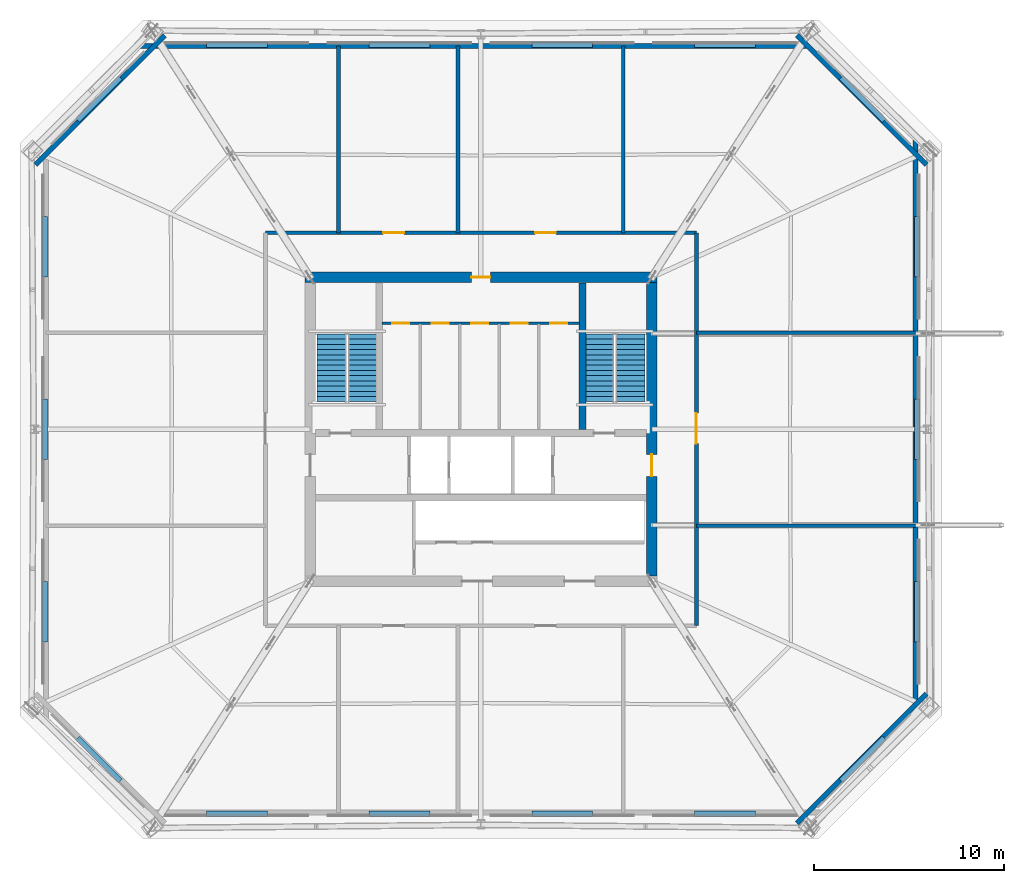
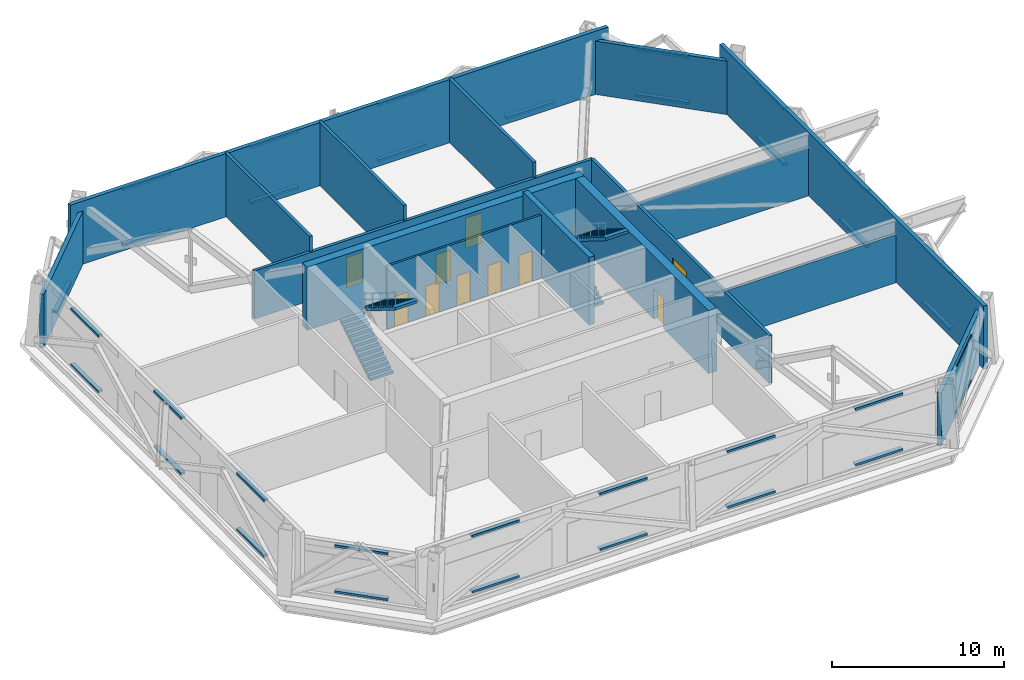
# One storey, part 12 of 15: 35 discrete accessories, 16 walls, 10 doors, 4 stair flights, 10 openings, 2 elements without a shape of their own.
"""IFC4 building model written with IfcOpenShell, lengths in metres."""

from ifc_helpers import new_model, si_unit, direction, frame, frame_2d, origin, origin_2d, place, context, subcontext, project, spatial, polyline, rectangle, outline, extrude, material, layer, layer_set, type_object, element, fill, aggregate, save


model = new_model("IFC4")

# Units and contexts
model_context = context("Model", 3, precision=1e-05, world=origin(), true_north=direction((0.0, 1.0)))
body_context = subcontext(model_context, "Body", "Model", "MODEL_VIEW")
ifc_project = project(units=[si_unit("LENGTHUNIT", "METRE"), si_unit("AREAUNIT", "SQUARE_METRE"), si_unit("VOLUMEUNIT", "CUBIC_METRE"), si_unit("PLANEANGLEUNIT", "RADIAN"), si_unit("MASSUNIT", "GRAM", prefix="KILO")], contexts=[model_context])

# Site, building, storey
site_placement = place(None, origin())
site = spatial("IfcSite", under=ifc_project, at=site_placement, CompositionType="ELEMENT")
building_placement = place(site_placement, origin())
building = spatial("IfcBuilding", under=site, at=building_placement, Name="Caelvoria Tower", CompositionType="ELEMENT")
storey_placement = place(building_placement, frame((0.0, 0.0, 167.199951171875)))
storey = spatial("IfcBuildingStorey", under=building, at=storey_placement, Name="L44", CompositionType="ELEMENT", Elevation=167.199951171875)

# Wall
ifc_material_1 = material(Name="Concrete C50/60", Category="concrete")
ifc_layer_1 = layer(ifc_material_1, 0.35009765625, Name="Concrete C50/60")
ifc_layer_set_1 = layer_set([ifc_layer_1], Name="Core Internal Shear Wall 350 - Concrete C50/60")
wall_type_1 = type_object("IfcWallType", Name="Core Internal Shear Wall 350", PredefinedType="SHEAR", material=ifc_layer_set_1)
wall_1_placement = place(storey_placement, frame((51.35009765625, 32.0, 0.0), z_axis=(0.0, 0.0, 1.0), x_axis=(0.0, 1.0, 0.0)))
element("IfcWall", 1, at=wall_1_placement, inside=storey, type_object=wall_type_1, Name="Interior Partition IW-L44-ST2W", PredefinedType="SHEAR", context=body_context, shape_type="SweptSolid", body=[
    extrude(rectangle(XDim=7.699951171875, YDim=0.35009765625, at=frame_2d((3.85009765625, 0.0))), origin(), (0.0, 0.0, 1.0), 4.800048828125),
])

# Wall, openings, doors
ifc_material_2 = material(Name="Moisture-Resistant Gypsum on Steel Stud", Category="steel")
ifc_layer_2 = layer(ifc_material_2, 0.139892578125, Name="Moisture-Resistant Gypsum on Steel Stud")
ifc_layer_set_2 = layer_set([ifc_layer_2], Name="Core Sanitary Acoustic Partition Wall 140 - Moisture-Resistant Gypsum on Steel Stud")
wall_type_2 = type_object("IfcWallType", Name="Core Sanitary Acoustic Partition Wall 140", PredefinedType="PARTITIONING", material=ifc_layer_set_2)
wall_2_placement = place(storey_placement, frame((40.800048828125, 37.580078125, 0.0), z_axis=(0.0, 0.0, 1.0), x_axis=(1.0, 0.0, 0.0)))
wall_2 = element("IfcWall", 2, at=wall_2_placement, inside=storey, type_object=wall_type_2, Name="Interior Partition IW-L44-C1H", PredefinedType="PARTITIONING", context=body_context, shape_type="SweptSolid", body=[
    extrude(rectangle(XDim=10.39990234375, YDim=0.139892578125, at=frame_2d((5.199951171875, 0.0))), origin(), (0.0, 0.0, 1.0), 4.47998046875),
])
opening_1_placement = place(wall_2_placement, frame((0.52001953125, 0.0, 0.0)))
opening_1 = element("IfcOpeningElement", 3, at=opening_1_placement, cuts=wall_2, Name="Opening ID-06", PredefinedType="OPENING", context=body_context, shape_type="SweptSolid", body=[
    extrude(rectangle(XDim=0.89990234375, YDim=2.14990234375, at=frame_2d((0.449951171875, 1.074951171875))), frame((0.0, 0.079833984375, 0.0), z_axis=(0.0, -1.0, 0.0), x_axis=(1.0, 0.0, 0.0)), (0.0, 0.0, 1.0), 0.159912109375),
])
opening_2_placement = place(wall_2_placement, frame((2.60009765625, 0.0, 0.0)))
opening_2 = element("IfcOpeningElement", 4, at=opening_2_placement, cuts=wall_2, Name="Opening ID-06", PredefinedType="OPENING", context=body_context, shape_type="SweptSolid", body=[
    extrude(rectangle(XDim=0.89990234375, YDim=2.14990234375, at=frame_2d((0.449951171875, 1.074951171875))), frame((0.0, 0.079833984375, 0.0), z_axis=(0.0, -1.0, 0.0), x_axis=(1.0, 0.0, 0.0)), (0.0, 0.0, 1.0), 0.159912109375),
])
opening_3_placement = place(wall_2_placement, frame((4.679931640625, 0.0, 0.0)))
opening_3 = element("IfcOpeningElement", 5, at=opening_3_placement, cuts=wall_2, Name="Opening ID-07", PredefinedType="OPENING", context=body_context, shape_type="SweptSolid", body=[
    extrude(rectangle(XDim=0.919921875, YDim=2.14990234375, at=frame_2d((0.4599609375, 1.074951171875))), frame((0.0, 0.079833984375, 0.0), z_axis=(0.0, -1.0, 0.0), x_axis=(1.0, 0.0, 0.0)), (0.0, 0.0, 1.0), 0.159912109375),
])
opening_4_placement = place(wall_2_placement, frame((6.760009765625, 0.0, 0.0)))
opening_4 = element("IfcOpeningElement", 6, at=opening_4_placement, cuts=wall_2, Name="Opening ID-06", PredefinedType="OPENING", context=body_context, shape_type="SweptSolid", body=[
    extrude(rectangle(XDim=0.89990234375, YDim=2.14990234375, at=frame_2d((0.449951171875, 1.074951171875))), frame((0.0, 0.079833984375, 0.0), z_axis=(0.0, -1.0, 0.0), x_axis=(1.0, 0.0, 0.0)), (0.0, 0.0, 1.0), 0.159912109375),
])
opening_5_placement = place(wall_2_placement, frame((8.840087890625, 0.0, 0.0)))
opening_5 = element("IfcOpeningElement", 7, at=opening_5_placement, cuts=wall_2, Name="Opening ID-06", PredefinedType="OPENING", context=body_context, shape_type="SweptSolid", body=[
    extrude(rectangle(XDim=0.89990234375, YDim=2.14990234375, at=frame_2d((0.449951171875, 1.074951171875))), frame((0.0, 0.079833984375, 0.0), z_axis=(0.0, -1.0, 0.0), x_axis=(1.0, 0.0, 0.0)), (0.0, 0.0, 1.0), 0.159912109375),
])
ifc_material_3 = material(Name="Engineered Andean Oak Accessible Door", Category="wood")
door_type_1 = type_object("IfcDoorType", Name="Accessible WC Door 950x2150", OperationType="NOTDEFINED", PredefinedType="DOOR", material=ifc_material_3)
door_1_placement = place(opening_3_placement, origin())
door_1 = element("IfcDoor", 8, at=door_1_placement, inside=storey, type_object=door_type_1, Name="Interior Door DR-L44-C1-3", OperationType="SINGLE_SWING_LEFT", OverallHeight=2.14990234375, OverallWidth=0.919921875, PredefinedType="DOOR", context=body_context, shape_type="SweptSolid", body=[
    extrude(rectangle(XDim=0.919921875, YDim=2.14990234375, at=frame_2d((0.4599609375, 1.074951171875))), frame((0.0, 0.02490234375, 0.0), z_axis=(0.0, -1.0, 0.0), x_axis=(1.0, 0.0, 0.0)), (0.0, 0.0, 1.0), 0.050048828125),
])
fill(opening_3, door_1)
ifc_material_4 = material(Name="Engineered Andean Oak Veneer Door", Category="wood")
door_type_2 = type_object("IfcDoorType", Name="Interior Timber Door 900x2150", OperationType="NOTDEFINED", PredefinedType="DOOR", material=ifc_material_4)
door_2_placement = place(opening_1_placement, origin())
door_2 = element("IfcDoor", 9, at=door_2_placement, inside=storey, type_object=door_type_2, Name="Interior Door DR-L44-C1-1", OperationType="SINGLE_SWING_LEFT", OverallHeight=2.14990234375, OverallWidth=0.89990234375, PredefinedType="DOOR", context=body_context, shape_type="SweptSolid", body=[
    extrude(rectangle(XDim=0.89990234375, YDim=2.14990234375, at=frame_2d((0.449951171875, 1.074951171875))), frame((0.0, 0.02490234375, 0.0), z_axis=(0.0, -1.0, 0.0), x_axis=(1.0, 0.0, 0.0)), (0.0, 0.0, 1.0), 0.050048828125),
])
fill(opening_1, door_2)
door_3_placement = place(opening_2_placement, origin())
door_3 = element("IfcDoor", 10, at=door_3_placement, inside=storey, type_object=door_type_2, Name="Interior Door DR-L44-C1-2", OperationType="SINGLE_SWING_RIGHT", OverallHeight=2.14990234375, OverallWidth=0.89990234375, PredefinedType="DOOR", context=body_context, shape_type="SweptSolid", body=[
    extrude(rectangle(XDim=0.89990234375, YDim=2.14990234375, at=frame_2d((0.449951171875, 1.074951171875))), frame((0.0, 0.02490234375, 0.0), z_axis=(0.0, -1.0, 0.0), x_axis=(1.0, 0.0, 0.0)), (0.0, 0.0, 1.0), 0.050048828125),
])
fill(opening_2, door_3)
door_4_placement = place(opening_4_placement, origin())
door_4 = element("IfcDoor", 11, at=door_4_placement, inside=storey, type_object=door_type_2, Name="Interior Door DR-L44-C1-4", OperationType="SINGLE_SWING_RIGHT", OverallHeight=2.14990234375, OverallWidth=0.89990234375, PredefinedType="DOOR", context=body_context, shape_type="SweptSolid", body=[
    extrude(rectangle(XDim=0.89990234375, YDim=2.14990234375, at=frame_2d((0.449951171875, 1.074951171875))), frame((0.0, 0.02490234375, 0.0), z_axis=(0.0, -1.0, 0.0), x_axis=(1.0, 0.0, 0.0)), (0.0, 0.0, 1.0), 0.050048828125),
])
fill(opening_4, door_4)
door_5_placement = place(opening_5_placement, origin())
door_5 = element("IfcDoor", 12, at=door_5_placement, inside=storey, type_object=door_type_2, Name="Interior Door DR-L44-C1-5", OperationType="SINGLE_SWING_LEFT", OverallHeight=2.14990234375, OverallWidth=0.89990234375, PredefinedType="DOOR", context=body_context, shape_type="SweptSolid", body=[
    extrude(rectangle(XDim=0.89990234375, YDim=2.14990234375, at=frame_2d((0.449951171875, 1.074951171875))), frame((0.0, 0.02490234375, 0.0), z_axis=(0.0, -1.0, 0.0), x_axis=(1.0, 0.0, 0.0)), (0.0, 0.0, 1.0), 0.050048828125),
])
fill(opening_5, door_5)

# Walls
ifc_material_5 = material(Name="Concrete Block and Fireboard Assembly", Category="concrete")
ifc_layer_3 = layer(ifc_material_5, 0.199951171875, Name="Concrete Block and Fireboard Assembly")
ifc_layer_set_3 = layer_set([ifc_layer_3], Name="Fire-Rated Shaft and Core Partition Wall 200 - Concrete Block and Fireboard Assembly")
wall_type_3 = type_object("IfcWallType", Name="Fire-Rated Shaft and Core Partition Wall 200", PredefinedType="PARTITIONING", material=ifc_layer_set_3)
for number, where, z_axis, x_axis, name in (
    (13, (44.800048828125, 42.35009765625, 0.0), (0.0, 0.0, 1.0), (0.0, 1.0, 0.0), "Interior Partition IW-L44-PLT-NM"),
    (14, (38.5, 42.35009765625, 0.0), (0.0, 0.0, 1.0), (0.0, 1.0, 0.0), "Interior Partition IW-L44-OCH-SWN"),
    (15, (53.5, 42.35009765625, 0.0), (0.0, 0.0, 1.0), (0.0, 1.0, 0.0), "Interior Partition IW-L44-OCH-SEN"),
):
    element("IfcWall", number, at=place(storey_placement, frame(where, z_axis=z_axis, x_axis=x_axis)), inside=storey, type_object=wall_type_3, Name=name, PredefinedType="PARTITIONING", context=body_context, shape_type="SweptSolid", body=[
        extrude(rectangle(XDim=9.829833984375, YDim=0.199951171875, at=frame_2d((4.9150390625, 0.0))), origin(), (0.0, 0.0, 1.0), 4.47998046875),
    ])

# Wall, openings, doors
wall_3_placement = place(storey_placement, frame((34.64990234375, 42.35009765625, 0.0), z_axis=(0.0, 0.0, 1.0), x_axis=(1.0, 0.0, 0.0)))
wall_3 = element("IfcWall", 16, at=wall_3_placement, inside=storey, type_object=wall_type_3, Name="Interior Partition IW-L44-CRN", PredefinedType="PARTITIONING", context=body_context, shape_type="SweptSolid", body=[
    extrude(rectangle(XDim=22.7001953125, YDim=0.199951171875, at=frame_2d((11.35009765625, 0.0))), origin(), (0.0, 0.0, 1.0), 3.41015625),
])
opening_6_placement = place(wall_3_placement, frame((6.199951171875, 0.0, 0.0)))
opening_6 = element("IfcOpeningElement", 17, at=opening_6_placement, cuts=wall_3, Name="Opening ID-01", PredefinedType="OPENING", context=body_context, shape_type="SweptSolid", body=[
    extrude(rectangle(XDim=1.10009765625, YDim=2.14990234375, at=frame_2d((0.550048828125, 1.074951171875))), frame((0.0, 0.10986328125, 0.0), z_axis=(0.0, -1.0, 0.0), x_axis=(1.0, 0.0, 0.0)), (0.0, 0.0, 1.0), 0.219970703125),
])
opening_7_placement = place(wall_3_placement, frame((14.199951171875, 0.0, 0.0)))
opening_7 = element("IfcOpeningElement", 18, at=opening_7_placement, cuts=wall_3, Name="Opening ID-01", PredefinedType="OPENING", context=body_context, shape_type="SweptSolid", body=[
    extrude(rectangle(XDim=1.10009765625, YDim=2.14990234375, at=frame_2d((0.550048828125, 1.074951171875))), frame((0.0, 0.10986328125, 0.0), z_axis=(0.0, -1.0, 0.0), x_axis=(1.0, 0.0, 0.0)), (0.0, 0.0, 1.0), 0.219970703125),
])
ifc_material_6 = material(Name="Painted Hollow Steel Fire Door", Category="steel")
door_type_3 = type_object("IfcDoorType", Name="Fire Door FD90S 1100x2150", OperationType="NOTDEFINED", PredefinedType="DOOR", material=ifc_material_6)
door_6_placement = place(opening_6_placement, origin())
door_6 = element("IfcDoor", 19, at=door_6_placement, inside=storey, type_object=door_type_3, Name="Interior Door DR-L44-PLTN1", OperationType="SINGLE_SWING_RIGHT", OverallHeight=2.14990234375, OverallWidth=1.10009765625, PredefinedType="DOOR", context=body_context, shape_type="SweptSolid", body=[
    extrude(rectangle(XDim=1.10009765625, YDim=2.14990234375, at=frame_2d((0.550048828125, 1.074951171875))), frame((0.0, 0.02490234375, 0.0), z_axis=(0.0, -1.0, 0.0), x_axis=(1.0, 0.0, 0.0)), (0.0, 0.0, 1.0), 0.050048828125),
])
fill(opening_6, door_6)
door_7_placement = place(opening_7_placement, origin())
door_7 = element("IfcDoor", 20, at=door_7_placement, inside=storey, type_object=door_type_3, Name="Interior Door DR-L44-PLTN2", OperationType="SINGLE_SWING_LEFT", OverallHeight=2.14990234375, OverallWidth=1.10009765625, PredefinedType="DOOR", context=body_context, shape_type="SweptSolid", body=[
    extrude(rectangle(XDim=1.10009765625, YDim=2.14990234375, at=frame_2d((0.550048828125, 1.074951171875))), frame((0.0, 0.02490234375, 0.0), z_axis=(0.0, -1.0, 0.0), x_axis=(1.0, 0.0, 0.0)), (0.0, 0.0, 1.0), 0.050048828125),
])
fill(opening_7, door_7)

# Wall, opening, door
wall_4_placement = place(storey_placement, frame((57.35009765625, 21.64990234375, 0.0), z_axis=(0.0, 0.0, 1.0), x_axis=(0.0, 1.0, 0.0)))
wall_4 = element("IfcWall", 21, at=wall_4_placement, inside=storey, type_object=wall_type_3, Name="Interior Partition IW-L44-CRE", PredefinedType="PARTITIONING", context=body_context, shape_type="SweptSolid", body=[
    extrude(rectangle(XDim=20.7001953125, YDim=0.199951171875, at=frame_2d((10.35009765625, 0.0))), origin(), (0.0, 0.0, 1.0), 3.41015625),
])
opening_8_placement = place(wall_4_placement, frame((9.60009765625, 0.0, 0.0)))
opening_8 = element("IfcOpeningElement", 22, at=opening_8_placement, cuts=wall_4, Name="Opening ID-08", PredefinedType="OPENING", context=body_context, shape_type="SweptSolid", body=[
    extrude(rectangle(XDim=1.60009765625, YDim=2.14990234375, at=frame_2d((0.800048828125, 1.074951171875))), frame((0.0, 0.10986328125, 0.0), z_axis=(0.0, -1.0, 0.0), x_axis=(1.0, 0.0, 0.0)), (0.0, 0.0, 1.0), 0.219970703125),
])
ifc_material_7 = material(Name="Bronze-Framed Fire-Rated Glazed Double Door", Category="aluminium")
door_type_4 = type_object("IfcDoorType", Name="Double Lobby Glazed Door 1600x2200", OperationType="NOTDEFINED", PredefinedType="DOOR", material=ifc_material_7)
door_8_placement = place(opening_8_placement, origin())
door_8 = element("IfcDoor", 23, at=door_8_placement, inside=storey, type_object=door_type_4, Name="Interior Door DR-L44-REFE", OperationType="DOUBLE_DOOR_SINGLE_SWING", OverallHeight=2.14990234375, OverallWidth=1.60009765625, PredefinedType="DOOR", context=body_context, shape_type="SweptSolid", body=[
    extrude(rectangle(XDim=1.60009765625, YDim=2.14990234375, at=frame_2d((0.800048828125, 1.074951171875))), frame((0.0, 0.02490234375, 0.0), z_axis=(0.0, -1.0, 0.0), x_axis=(1.0, 0.0, 0.0)), (0.0, 0.0, 1.0), 0.050048828125),
])
fill(opening_8, door_8)

# Walls
for number, where, z_axis, x_axis, name in (
    (24, (57.35009765625, 26.919921875, 0.0), (0.0, 0.0, 1.0), (1.0, 0.0, 0.0), "Interior Partition IW-L44-RSEP-ES"),
    (25, (57.35009765625, 37.080078125, 0.0), (0.0, 0.0, 1.0), (1.0, 0.0, 0.0), "Interior Partition IW-L44-RSEP-EN"),
):
    element("IfcWall", number, at=place(storey_placement, frame(where, z_axis=z_axis, x_axis=x_axis)), inside=storey, type_object=wall_type_3, Name=name, PredefinedType="PARTITIONING", context=body_context, shape_type="SweptSolid", body=[
        extrude(rectangle(XDim=11.5498046875, YDim=0.199951171875, at=frame_2d((5.77490234375, 0.0))), origin(), (0.0, 0.0, 1.0), 3.41015625),
    ])

# Wall, opening, door
ifc_material_8 = material(Name="Concrete C55/67", Category="concrete")
ifc_layer_4 = layer(ifc_material_8, 0.550048828125, Name="Concrete C55/67")
ifc_layer_set_4 = layer_set([ifc_layer_4], Name="Mid Core Shear Wall 550 - Concrete C55/67")
wall_type_4 = type_object("IfcWallType", Name="Mid Core Shear Wall 550", PredefinedType="SHEAR", material=ifc_layer_set_4)
wall_5_placement = place(storey_placement, frame((36.72509765625, 40.0, 0.0), z_axis=(0.0, 0.0, 1.0), x_axis=(1.0, 0.0, 0.0)))
wall_5 = element("IfcWall", 26, at=wall_5_placement, inside=storey, type_object=wall_type_4, Name="Core Shear Wall L44 N", PredefinedType="SHEAR", context=body_context, shape_type="SweptSolid", body=[
    extrude(rectangle(XDim=18.5498046875, YDim=0.550048828125, at=frame_2d((9.27490234375, 0.0))), origin(), (0.0, 0.0, 1.0), 4.47998046875),
])
opening_9_placement = place(wall_5_placement, frame((8.77490234375, 0.0, 0.0)))
opening_9 = element("IfcOpeningElement", 27, at=opening_9_placement, cuts=wall_5, Name="Opening ID-03", PredefinedType="OPENING", context=body_context, shape_type="SweptSolid", body=[
    extrude(rectangle(XDim=1.0, YDim=2.14990234375, at=frame_2d((0.5, 1.074951171875))), frame((0.0, 0.284912109375, 0.0), z_axis=(0.0, -1.0, 0.0), x_axis=(1.0, 0.0, 0.0)), (0.0, 0.0, 1.0), 0.570068359375),
])
door_type_5 = type_object("IfcDoorType", Name="Fire Door FD60S 1000x2150", OperationType="NOTDEFINED", PredefinedType="DOOR", material=ifc_material_6)
door_9_placement = place(opening_9_placement, origin())
door_9 = element("IfcDoor", 28, at=door_9_placement, inside=storey, type_object=door_type_5, Name="Core Door DR-L44-WC-MAIN", OperationType="SINGLE_SWING_RIGHT", OverallHeight=2.14990234375, OverallWidth=1.0, PredefinedType="DOOR", context=body_context, shape_type="SweptSolid", body=[
    extrude(rectangle(XDim=1.0, YDim=2.14990234375, at=frame_2d((0.5, 1.074951171875))), frame((0.0, 0.02490234375, 0.0), z_axis=(0.0, -1.0, 0.0), x_axis=(1.0, 0.0, 0.0)), (0.0, 0.0, 1.0), 0.050048828125),
])
fill(opening_9, door_9)

wall_6_placement = place(storey_placement, frame((55.0, 24.27490234375, 0.0), z_axis=(0.0, 0.0, 1.0), x_axis=(0.0, 1.0, 0.0)))
wall_6 = element("IfcWall", 29, at=wall_6_placement, inside=storey, type_object=wall_type_4, Name="Core Shear Wall L44 E", PredefinedType="SHEAR", context=body_context, shape_type="SweptSolid", body=[
    extrude(rectangle(XDim=15.4501953125, YDim=0.550048828125, at=frame_2d((7.72509765625, 0.0))), origin(), (0.0, 0.0, 1.0), 4.47998046875),
])
opening_10_placement = place(wall_6_placement, frame((5.25, 0.0, 0.0)))
opening_10 = element("IfcOpeningElement", 30, at=opening_10_placement, cuts=wall_6, Name="Opening ID-02", PredefinedType="OPENING", context=body_context, shape_type="SweptSolid", body=[
    extrude(rectangle(XDim=1.14990234375, YDim=2.14990234375, at=frame_2d((0.574951171875, 1.074951171875))), frame((0.0, 0.284912109375, 0.0), z_axis=(0.0, -1.0, 0.0), x_axis=(1.0, 0.0, 0.0)), (0.0, 0.0, 1.0), 0.570068359375),
])
door_type_6 = type_object("IfcDoorType", Name="Fire Door FD60S 1150x2150", OperationType="NOTDEFINED", PredefinedType="DOOR", material=ifc_material_6)
door_10_placement = place(opening_10_placement, origin())
door_10 = element("IfcDoor", 31, at=door_10_placement, inside=storey, type_object=door_type_6, Name="Core Door DR-L44-FFLE-OUT", OperationType="SINGLE_SWING_RIGHT", OverallHeight=2.14990234375, OverallWidth=1.14990234375, PredefinedType="DOOR", context=body_context, shape_type="SweptSolid", body=[
    extrude(rectangle(XDim=1.14990234375, YDim=2.14990234375, at=frame_2d((0.574951171875, 1.074951171875))), frame((0.0, 0.02490234375, 0.0), z_axis=(0.0, -1.0, 0.0), x_axis=(1.0, 0.0, 0.0)), (0.0, 0.0, 1.0), 0.050048828125),
])
fill(opening_10, door_10)

# Walls
ifc_material_9 = material(Name="Precast Concrete C40/50", Category="concrete")
ifc_layer_5 = layer(ifc_material_9, 0.260009765625, Name="Precast Concrete C40/50")
ifc_layer_set_5 = layer_set([ifc_layer_5], Name="Plant Room Acoustic Louvred Facade Wall 260 - Precast Concrete C40/50")
wall_type_5 = type_object("IfcWallType", Name="Plant Room Acoustic Louvred Facade Wall 260", PredefinedType="STANDARD", material=ifc_layer_set_5)
wall_7_placement = place(storey_placement, frame((62.654541015625, 11.24609375, 0.0), z_axis=(0.0, 0.0, 1.0), x_axis=(0.707106781187, 0.707106781187, 0.0)))
element("IfcWall", 32, at=wall_7_placement, inside=storey, type_object=wall_type_5, Name="Exterior Facade Wall L44-E1", PredefinedType="STANDARD", context=body_context, shape_type="SweptSolid", body=[
    extrude(rectangle(XDim=9.64404296875, YDim=0.260009765625, at=frame_2d((4.822021484375, 0.0))), origin(), (0.0, 0.0, 1.0), 3.781982421875),
])
wall_8_placement = place(storey_placement, frame((68.89990234375, 16.679931640625, 0.0), z_axis=(0.0, 0.0, 1.0), x_axis=(0.0, 1.0, 0.0)))
element("IfcWall", 33, at=wall_8_placement, inside=storey, type_object=wall_type_5, Name="Exterior Facade Wall L44-E2", PredefinedType="STANDARD", context=body_context, shape_type="SweptSolid", body=[
    extrude(rectangle(XDim=30.64013671875, YDim=0.260009765625, at=frame_2d((15.320068359375, 0.0))), origin(), (0.0, 0.0, 1.0), 4.47998046875),
])
wall_9_placement = place(storey_placement, frame((69.473876953125, 45.9345703125, 0.0), z_axis=(0.0, 0.0, 1.0), x_axis=(-0.707106781187, 0.707106781187, 0.0)))
element("IfcWall", 34, at=wall_9_placement, inside=storey, type_object=wall_type_5, Name="Exterior Facade Wall L44-E3", PredefinedType="STANDARD", context=body_context, shape_type="SweptSolid", body=[
    extrude(rectangle(XDim=9.64404296875, YDim=0.260009765625, at=frame_2d((4.822021484375, 0.0))), origin(), (0.0, 0.0, 1.0), 3.781982421875),
])
wall_10_placement = place(storey_placement, frame((64.0400390625, 52.179931640625, 0.0), z_axis=(0.0, 0.0, 1.0), x_axis=(-1.0, 0.0, 0.0)))
element("IfcWall", 35, at=wall_10_placement, inside=storey, type_object=wall_type_5, Name="Exterior Facade Wall L44-E4", PredefinedType="STANDARD", context=body_context, shape_type="SweptSolid", body=[
    extrude(rectangle(XDim=36.080078125, YDim=0.260009765625, at=frame_2d((18.0400390625, 0.0))), origin(), (0.0, 0.0, 1.0), 4.47998046875),
])
wall_11_placement = place(storey_placement, frame((29.345458984375, 52.75390625, 0.0), z_axis=(0.0, 0.0, 1.0), x_axis=(-0.707106781187, -0.707106781187, 0.0)))
element("IfcWall", 36, at=wall_11_placement, inside=storey, type_object=wall_type_5, Name="Exterior Facade Wall L44-E5", PredefinedType="STANDARD", context=body_context, shape_type="SweptSolid", body=[
    extrude(rectangle(XDim=9.64404296875, YDim=0.260009765625, at=frame_2d((4.822021484375, 0.0))), origin(), (0.0, 0.0, 1.0), 3.781982421875),
])

# Stair, stair flights
ifc_material_10 = material(Name="Concrete C40/50", Category="concrete")
stair_type = type_object("IfcStairType", Name="Core Smokeproof Dogleg Stair Concrete C40/50", PredefinedType="HALF_TURN_STAIR", material=ifc_material_10)
stair_1_placement = place(storey_placement, origin())
stair_1 = element("IfcStair", 37, at=stair_1_placement, inside=storey, type_object=stair_type, Name="ST-01 Smokeproof Exit Stair L44", PredefinedType="HALF_TURN_STAIR")
stair_flight_type = type_object("IfcStairFlightType", Name="Precast Concrete C40/50 Stair Flight 1480", PredefinedType="STRAIGHT", material=ifc_material_9)
stair_flight_1_placement = place(storey_placement, frame((38.1298828125, 33.449951171875, 0.0), z_axis=(0.0, 0.0, 1.0), x_axis=(0.0, 1.0, 0.0)))
stair_flight_1 = element("IfcStairFlight", 38, at=stair_flight_1_placement, type_object=stair_flight_type, Name="ST-01 flight 1", NumberOfRisers=14, NumberOfTreads=13, PredefinedType="STRAIGHT", RiserHeight=0.1714, TreadLength=0.275, context=body_context, shape_type="SweptSolid", body=[
    extrude(outline(polyline([(0.0, 0.0), (0.0, 0.17138671875), (0.27490234375, 0.17138671875), (0.27490234375, 0.3427734375), (0.550048828125, 0.3427734375), (0.550048828125, 0.51416015625), (0.824951171875, 0.51416015625), (0.824951171875, 0.685546875), (1.10009765625, 0.685546875), (1.10009765625, 0.85693359375), (1.375, 0.85693359375), (1.375, 1.0283203125), (1.64990234375, 1.0283203125), (1.64990234375, 1.19970703125), (1.925048828125, 1.19970703125), (1.925048828125, 1.37109375), (2.199951171875, 1.37109375), (2.199951171875, 1.54248046875), (2.47509765625, 1.54248046875), (2.47509765625, 1.714111328125), (2.75, 1.714111328125), (2.75, 1.885498046875), (3.02490234375, 1.885498046875), (3.02490234375, 2.056884765625), (3.300048828125, 2.056884765625), (3.300048828125, 2.228271484375), (3.574951171875, 2.228271484375), (3.574951171875, 2.399658203125), (3.574951171875, 2.039794921875), (0.30224609375, 0.0), (0.0, 0.0)])), frame((0.0, 0.77001953125, 0.0), z_axis=(0.0, -1.0, 0.0), x_axis=(1.0, 0.0, 0.0)), (0.0, 0.0, 1.0), 1.5400390625),
])
stair_flight_2_placement = place(storey_placement, frame((39.77001953125, 37.02490234375, 2.400146484375), z_axis=(0.0, 0.0, 1.0), x_axis=(0.0, -1.0, 0.0)))
stair_flight_2 = element("IfcStairFlight", 39, at=stair_flight_2_placement, type_object=stair_flight_type, Name="ST-01 flight 2", NumberOfRisers=14, NumberOfTreads=13, PredefinedType="STRAIGHT", RiserHeight=0.1714, TreadLength=0.275, context=body_context, shape_type="SweptSolid", body=[
    extrude(outline(polyline([(0.0, 0.0), (0.0, 0.17138671875), (0.27490234375, 0.17138671875), (0.27490234375, 0.3427734375), (0.550048828125, 0.3427734375), (0.550048828125, 0.51416015625), (0.824951171875, 0.51416015625), (0.824951171875, 0.685546875), (1.10009765625, 0.685546875), (1.10009765625, 0.85693359375), (1.375, 0.85693359375), (1.375, 1.0283203125), (1.64990234375, 1.0283203125), (1.64990234375, 1.19970703125), (1.925048828125, 1.19970703125), (1.925048828125, 1.37109375), (2.199951171875, 1.37109375), (2.199951171875, 1.54248046875), (2.47509765625, 1.54248046875), (2.47509765625, 1.714111328125), (2.75, 1.714111328125), (2.75, 1.885498046875), (3.02490234375, 1.885498046875), (3.02490234375, 2.056884765625), (3.300048828125, 2.056884765625), (3.300048828125, 2.228271484375), (3.574951171875, 2.228271484375), (3.574951171875, 2.399658203125), (3.574951171875, 2.039794921875), (0.30224609375, 0.0), (0.0, 0.0)])), frame((0.0, 0.77001953125, 0.0), z_axis=(0.0, -1.0, 0.0), x_axis=(1.0, 0.0, 0.0)), (0.0, 0.0, 1.0), 1.5400390625),
])
aggregate(stair_1, [stair_flight_1, stair_flight_2])

stair_2_placement = place(storey_placement, origin())
stair_2 = element("IfcStair", 40, at=stair_2_placement, inside=storey, type_object=stair_type, Name="ST-02 Smokeproof Exit Stair L44", PredefinedType="HALF_TURN_STAIR")
stair_flight_3_placement = place(storey_placement, frame((52.22998046875, 33.449951171875, 0.0), z_axis=(0.0, 0.0, 1.0), x_axis=(0.0, 1.0, 0.0)))
stair_flight_3 = element("IfcStairFlight", 41, at=stair_flight_3_placement, type_object=stair_flight_type, Name="ST-02 flight 1", NumberOfRisers=14, NumberOfTreads=13, PredefinedType="STRAIGHT", RiserHeight=0.1714, TreadLength=0.275, context=body_context, shape_type="SweptSolid", body=[
    extrude(outline(polyline([(0.0, 0.0), (0.0, 0.17138671875), (0.27490234375, 0.17138671875), (0.27490234375, 0.3427734375), (0.550048828125, 0.3427734375), (0.550048828125, 0.51416015625), (0.824951171875, 0.51416015625), (0.824951171875, 0.685546875), (1.10009765625, 0.685546875), (1.10009765625, 0.85693359375), (1.375, 0.85693359375), (1.375, 1.0283203125), (1.64990234375, 1.0283203125), (1.64990234375, 1.19970703125), (1.925048828125, 1.19970703125), (1.925048828125, 1.37109375), (2.199951171875, 1.37109375), (2.199951171875, 1.54248046875), (2.47509765625, 1.54248046875), (2.47509765625, 1.714111328125), (2.75, 1.714111328125), (2.75, 1.885498046875), (3.02490234375, 1.885498046875), (3.02490234375, 2.056884765625), (3.300048828125, 2.056884765625), (3.300048828125, 2.228271484375), (3.574951171875, 2.228271484375), (3.574951171875, 2.399658203125), (3.574951171875, 2.039794921875), (0.30224609375, 0.0), (0.0, 0.0)])), frame((0.0, 0.77001953125, 0.0), z_axis=(0.0, -1.0, 0.0), x_axis=(1.0, 0.0, 0.0)), (0.0, 0.0, 1.0), 1.5400390625),
])
stair_flight_4_placement = place(storey_placement, frame((53.8701171875, 37.02490234375, 2.400146484375), z_axis=(0.0, 0.0, 1.0), x_axis=(0.0, -1.0, 0.0)))
stair_flight_4 = element("IfcStairFlight", 42, at=stair_flight_4_placement, type_object=stair_flight_type, Name="ST-02 flight 2", NumberOfRisers=14, NumberOfTreads=13, PredefinedType="STRAIGHT", RiserHeight=0.1714, TreadLength=0.275, context=body_context, shape_type="SweptSolid", body=[
    extrude(outline(polyline([(0.0, 0.0), (0.0, 0.17138671875), (0.27490234375, 0.17138671875), (0.27490234375, 0.3427734375), (0.550048828125, 0.3427734375), (0.550048828125, 0.51416015625), (0.824951171875, 0.51416015625), (0.824951171875, 0.685546875), (1.10009765625, 0.685546875), (1.10009765625, 0.85693359375), (1.375, 0.85693359375), (1.375, 1.0283203125), (1.64990234375, 1.0283203125), (1.64990234375, 1.19970703125), (1.925048828125, 1.19970703125), (1.925048828125, 1.37109375), (2.199951171875, 1.37109375), (2.199951171875, 1.54248046875), (2.47509765625, 1.54248046875), (2.47509765625, 1.714111328125), (2.75, 1.714111328125), (2.75, 1.885498046875), (3.02490234375, 1.885498046875), (3.02490234375, 2.056884765625), (3.300048828125, 2.056884765625), (3.300048828125, 2.228271484375), (3.574951171875, 2.228271484375), (3.574951171875, 2.399658203125), (3.574951171875, 2.039794921875), (0.30224609375, 0.0), (0.0, 0.0)])), frame((0.0, 0.77001953125, 0.0), z_axis=(0.0, -1.0, 0.0), x_axis=(1.0, 0.0, 0.0)), (0.0, 0.0, 1.0), 1.5400390625),
])
aggregate(stair_2, [stair_flight_3, stair_flight_4])

# Discrete accessories
ifc_material_11 = material(Name="Anodised Bronze Stainless Bracket", Category="bronze")
discrete_accessory_type = type_object("IfcDiscreteAccessoryType", Name="Solar Screen Outrigger Support Bracket", PredefinedType="BRACKET", material=ifc_material_11)
for number, where, z_axis, x_axis, name in (
    (43, (33.14501953125, 11.74853515625, 0.240234375), (0.0, 0.0, 1.0), (1.0, 0.0, 0.0), "Solar Screen Bracket L44-E0-00"),
    (44, (33.14501953125, 11.74853515625, 4.18017578125), (0.0, 0.0, 1.0), (1.0, 0.0, 0.0), "Upper Screen Band Bracket L44-E0-00"),
    (45, (41.715087890625, 11.74853515625, 0.240234375), (0.0, 0.0, 1.0), (1.0, 0.0, 0.0), "Solar Screen Bracket L44-E0-01"),
    (46, (41.715087890625, 11.74853515625, 4.18017578125), (0.0, 0.0, 1.0), (1.0, 0.0, 0.0), "Upper Screen Band Bracket L44-E0-01"),
    (47, (50.284912109375, 11.74853515625, 0.240234375), (0.0, 0.0, 1.0), (1.0, 0.0, 0.0), "Solar Screen Bracket L44-E0-02"),
    (48, (50.284912109375, 11.74853515625, 4.18017578125), (0.0, 0.0, 1.0), (1.0, 0.0, 0.0), "Upper Screen Band Bracket L44-E0-02"),
    (49, (58.85498046875, 11.74853515625, 0.240234375), (0.0, 0.0, 1.0), (1.0, 0.0, 0.0), "Solar Screen Bracket L44-E0-03"),
    (50, (58.85498046875, 11.74853515625, 4.18017578125), (0.0, 0.0, 1.0), (1.0, 0.0, 0.0), "Upper Screen Band Bracket L44-E0-03"),
    (51, (66.11474609375, 14.605224609375, 0.240234375), (0.0, 0.0, 1.0), (0.707106781187, 0.707106781187, 0.0), "Solar Screen Bracket L44-E1-00"),
    (52, (66.11474609375, 14.605224609375, 3.48193359375), (0.0, 0.0, 1.0), (0.707106781187, 0.707106781187, 0.0), "Upper Screen Band Bracket L44-E1-00"),
    (53, (68.971435546875, 22.38671875, 0.240234375), (0.0, 0.0, 1.0), (0.0, 1.0, 0.0), "Solar Screen Bracket L44-E2-00"),
    (54, (68.971435546875, 22.38671875, 4.18017578125), (0.0, 0.0, 1.0), (0.0, 1.0, 0.0), "Upper Screen Band Bracket L44-E2-00"),
    (55, (68.971435546875, 32.0, 0.240234375), (0.0, 0.0, 1.0), (0.0, 1.0, 0.0), "Solar Screen Bracket L44-E2-01"),
    (56, (68.971435546875, 32.0, 4.18017578125), (0.0, 0.0, 1.0), (0.0, 1.0, 0.0), "Upper Screen Band Bracket L44-E2-01"),
    (57, (68.971435546875, 41.61328125, 0.240234375), (0.0, 0.0, 1.0), (0.0, 1.0, 0.0), "Solar Screen Bracket L44-E2-02"),
    (58, (68.971435546875, 41.61328125, 4.18017578125), (0.0, 0.0, 1.0), (0.0, 1.0, 0.0), "Upper Screen Band Bracket L44-E2-02"),
    (59, (66.11474609375, 49.394775390625, 0.240234375), (0.0, 0.0, 1.0), (-0.707106781187, 0.707106781187, 0.0), "Solar Screen Bracket L44-E3-00"),
    (60, (66.11474609375, 49.394775390625, 3.48193359375), (0.0, 0.0, 1.0), (-0.707106781187, 0.707106781187, 0.0), "Upper Screen Band Bracket L44-E3-00"),
    (61, (58.85498046875, 52.25146484375, 0.240234375), (0.0, 0.0, 1.0), (-1.0, 0.0, 0.0), "Solar Screen Bracket L44-E4-00"),
    (62, (50.284912109375, 52.25146484375, 0.240234375), (0.0, 0.0, 1.0), (-1.0, 0.0, 0.0), "Solar Screen Bracket L44-E4-01"),
    (63, (50.284912109375, 52.25146484375, 4.18017578125), (0.0, 0.0, 1.0), (-1.0, 0.0, 0.0), "Upper Screen Band Bracket L44-E4-01"),
    (64, (41.715087890625, 52.25146484375, 0.240234375), (0.0, 0.0, 1.0), (-1.0, 0.0, 0.0), "Solar Screen Bracket L44-E4-02"),
    (65, (41.715087890625, 52.25146484375, 4.18017578125), (0.0, 0.0, 1.0), (-1.0, 0.0, 0.0), "Upper Screen Band Bracket L44-E4-02"),
    (66, (33.14501953125, 52.25146484375, 0.240234375), (0.0, 0.0, 1.0), (-1.0, 0.0, 0.0), "Solar Screen Bracket L44-E4-03"),
    (67, (33.14501953125, 52.25146484375, 4.18017578125), (0.0, 0.0, 1.0), (-1.0, 0.0, 0.0), "Upper Screen Band Bracket L44-E4-03"),
    (68, (25.88525390625, 49.394775390625, 0.240234375), (0.0, 0.0, 1.0), (-0.707106781187, -0.707106781187, 0.0), "Solar Screen Bracket L44-E5-00"),
    (69, (25.88525390625, 49.394775390625, 3.48193359375), (0.0, 0.0, 1.0), (-0.707106781187, -0.707106781187, 0.0), "Upper Screen Band Bracket L44-E5-00"),
    (70, (23.028564453125, 41.61328125, 0.240234375), (0.0, 0.0, 1.0), (0.0, -1.0, 0.0), "Solar Screen Bracket L44-E6-00"),
    (71, (23.028564453125, 41.61328125, 4.18017578125), (0.0, 0.0, 1.0), (0.0, -1.0, 0.0), "Upper Screen Band Bracket L44-E6-00"),
    (72, (23.028564453125, 32.0, 0.240234375), (0.0, 0.0, 1.0), (0.0, -1.0, 0.0), "Solar Screen Bracket L44-E6-01"),
    (73, (23.028564453125, 32.0, 4.18017578125), (0.0, 0.0, 1.0), (0.0, -1.0, 0.0), "Upper Screen Band Bracket L44-E6-01"),
    (74, (23.028564453125, 22.38671875, 0.240234375), (0.0, 0.0, 1.0), (0.0, -1.0, 0.0), "Solar Screen Bracket L44-E6-02"),
    (75, (23.028564453125, 22.38671875, 4.18017578125), (0.0, 0.0, 1.0), (0.0, -1.0, 0.0), "Upper Screen Band Bracket L44-E6-02"),
    (76, (25.88525390625, 14.605224609375, 0.240234375), (0.0, 0.0, 1.0), (0.707106781187, -0.707106781187, 0.0), "Solar Screen Bracket L44-E7-00"),
    (77, (25.88525390625, 14.605224609375, 3.48193359375), (0.0, 0.0, 1.0), (0.707106781187, -0.707106781187, 0.0), "Upper Screen Band Bracket L44-E7-00"),
):
    element("IfcDiscreteAccessory", number, at=place(storey_placement, frame(where, z_axis=z_axis, x_axis=x_axis)), inside=storey, type_object=discrete_accessory_type, Name=name, PredefinedType="BRACKET", context=body_context, shape_type="SweptSolid", body=[
        extrude(rectangle(XDim=3.199951171875, YDim=0.280029296875, at=origin_2d()), origin(), (0.0, 0.0, 1.0), 0.159912109375),
    ])

save(model, "model.ifc")
